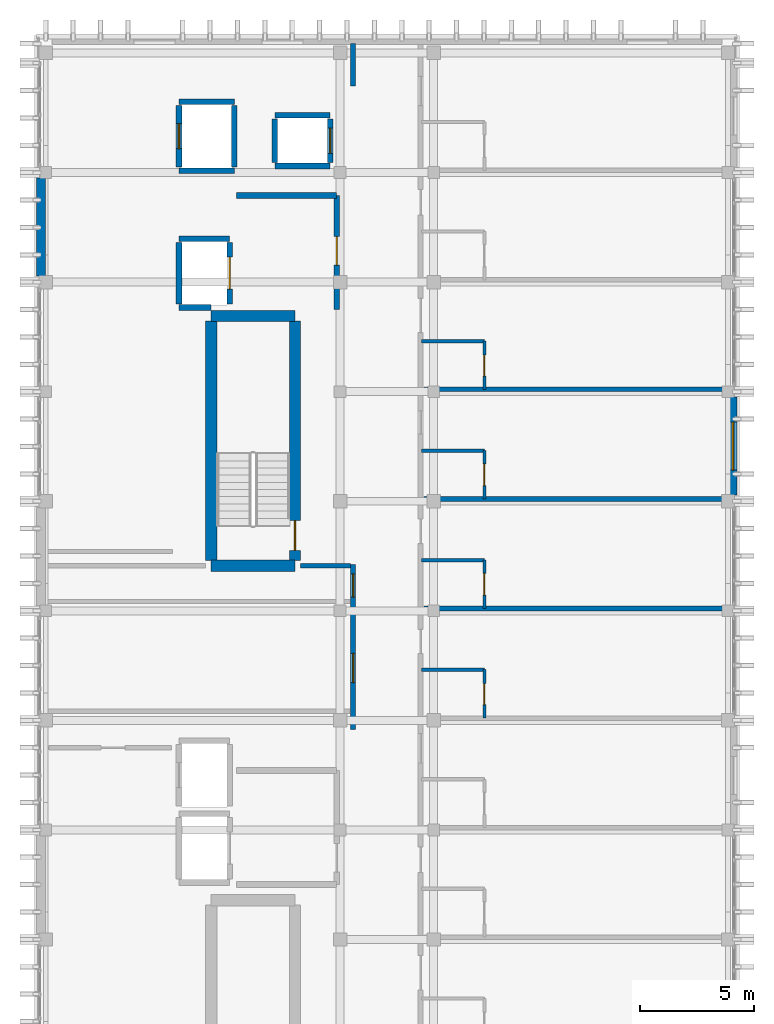
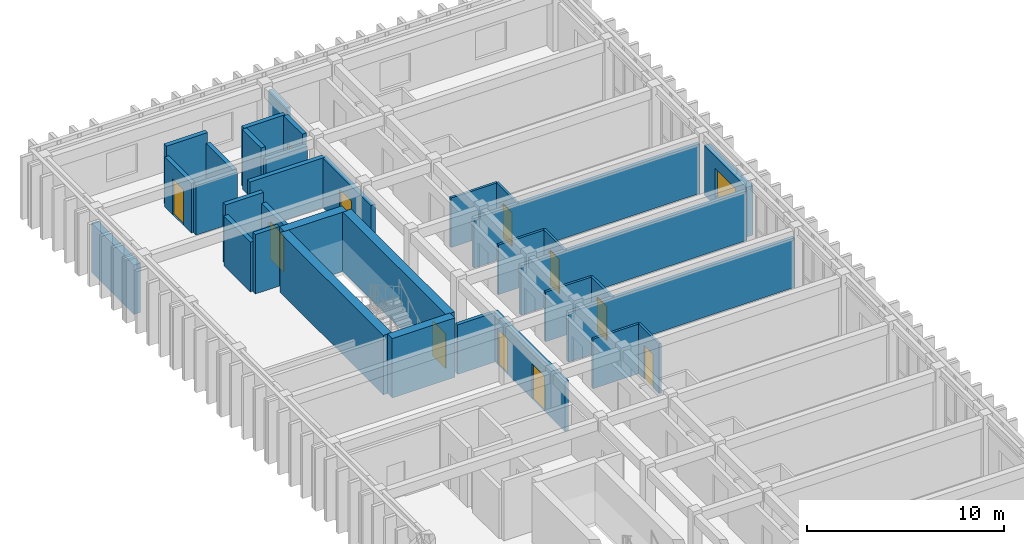
# One storey, part 41 of 49: 34 walls, 11 doors, 1 window, 12 openings.
"""IFC4 building model written with IfcOpenShell, lengths in metres."""

import ifcopenshell
import ifcopenshell.guid

model = None  # the IFC model being written
_history = None  # IfcOwnerHistory: only IFC2X3 demands one
_inside = {}  # id of a spatial element -> (the spatial element, [elements in it])
_under = {}  # id of a project, library or spatial element -> (it, [spatial elements below it])
_declared = {}  # id of a project -> (the project, [libraries it declares])
_typed = {}  # id of a type object -> (the type object, [elements of that type])
_made_of = {}  # id of a material, layer set ... -> (it, [elements and type objects made of it])


def new_model(schema):
    """Start an empty IFC model of exactly this schema.

    Asked for "IFC4X3", IfcOpenShell would pick the latest addendum, in which some entities
    have other attributes; the version numbers below select the first issue.
    IFC2X3 requires an IfcOwnerHistory on every rooted entity: one is made here for all.
    """
    global model, _history
    if schema == "IFC4X3":
        model = ifcopenshell.file(schema_version=(4, 3, 0, 0))
    else:
        model = ifcopenshell.file(schema=schema)
    _inside.clear()
    _under.clear()
    _declared.clear()
    _typed.clear()
    _made_of.clear()
    _history = None
    if model.schema == "IFC2X3":
        org = make("IfcOrganization", Name="unknown")
        user = make(
            "IfcPersonAndOrganization",
            ThePerson=make("IfcPerson", FamilyName="unknown"),
            TheOrganization=org,
        )
        app = make(
            "IfcApplication",
            ApplicationDeveloper=org,
            Version="unknown",
            ApplicationFullName="unknown",
            ApplicationIdentifier="unknown",
        )
        _history = make(
            "IfcOwnerHistory",
            OwningUser=user,
            OwningApplication=app,
            ChangeAction="ADDED",
            CreationDate=0,
        )
    return model


def make(cls, **values):
    """One entity of the class cls with the attributes given. An attribute that is None is left unset."""
    return model.create_entity(
        cls, **{name: value for name, value in values.items() if value is not None}
    )


def rooted(cls, **values):
    """An entity with a GlobalId (a new one), such as an element, a storey or a relation."""
    return make(cls, GlobalId=ifcopenshell.guid.new(), OwnerHistory=_history, **values)


def si_unit(unit_type, name, prefix=None):
    """IfcSIUnit, for example si_unit("LENGTHUNIT", "METRE", prefix="MILLI")."""
    return make("IfcSIUnit", UnitType=unit_type, Prefix=prefix, Name=name)


def assignment(units):
    """IfcUnitAssignment: the units of a project."""
    return None if units is None else make("IfcUnitAssignment", Units=units)


def point(xyz):
    """IfcCartesianPoint."""
    return None if xyz is None else make("IfcCartesianPoint", Coordinates=xyz)


def direction(xyz):
    """IfcDirection."""
    return None if xyz is None else make("IfcDirection", DirectionRatios=xyz)


def frame(location, z_axis=None, x_axis=None):
    """IfcAxis2Placement3D, a coordinate frame: its origin and axes. An axis left out is left unset."""
    return make(
        "IfcAxis2Placement3D",
        Location=point(location),
        Axis=direction(z_axis),
        RefDirection=direction(x_axis),
    )


def frame_2d(location, x_axis=None):
    """IfcAxis2Placement2D, a coordinate frame in the plane: its origin and x axis."""
    return make(
        "IfcAxis2Placement2D", Location=point(location), RefDirection=direction(x_axis)
    )


def origin():
    """The frame at (0, 0, 0) with its axes left unset."""
    return frame((0.0, 0.0, 0.0))


def place(relative_to, where):
    """IfcLocalPlacement: puts the frame where relative to a parent placement (None: the world)."""
    return make(
        "IfcLocalPlacement", PlacementRelTo=relative_to, RelativePlacement=where
    )


def context(
    kind, dimensions, precision=None, world=None, true_north=None, identifier=None
):
    """IfcGeometricRepresentationContext, for example the 3D "Model" context."""
    return make(
        "IfcGeometricRepresentationContext",
        ContextIdentifier=identifier,
        ContextType=kind,
        CoordinateSpaceDimension=dimensions,
        Precision=precision,
        WorldCoordinateSystem=world,
        TrueNorth=true_north,
    )


def subcontext(parent, identifier, kind, view, scale=None):
    """IfcGeometricRepresentationSubContext, for example "Body" below "Model"."""
    return make(
        "IfcGeometricRepresentationSubContext",
        ContextIdentifier=identifier,
        ContextType=kind,
        ParentContext=parent,
        TargetScale=scale,
        TargetView=view,
    )


def project(units=None, contexts=None):
    """IfcProject with its units and contexts."""
    return rooted(
        "IfcProject",
        Name="project",
        RepresentationContexts=contexts,
        UnitsInContext=assignment(units),
    )


def spatial(cls, under=None, at=None, **own):
    """A site, building, storey or space (cls), placed at a placement, below another one or the project."""
    s = rooted(cls, ObjectPlacement=at, **own)
    if under is not None:
        _under.setdefault(under.id(), (under, []))[1].append(s)
    return s


def profile(cls, at=None, kind="AREA", **sizes):
    """A parametric profile (cls). Its sizes go by their IFC names, for example OverallWidth=200.0."""
    return make(cls, ProfileType=kind, Position=at, **sizes)


def rectangle(**sizes):
    """IfcRectangleProfileDef."""
    return profile("IfcRectangleProfileDef", **sizes)


def extrude(swept, where, along, depth):
    """IfcExtrudedAreaSolid: the profile swept, set in the frame where, extruded along a direction by depth."""
    return make(
        "IfcExtrudedAreaSolid",
        SweptArea=swept,
        Position=where,
        ExtrudedDirection=direction(along),
        Depth=depth,
    )


def shape(context_of_items, identifier, shape_type, items):
    """IfcShapeRepresentation: the items that make up one representation, for example the "Body"."""
    return make(
        "IfcShapeRepresentation",
        ContextOfItems=context_of_items,
        RepresentationIdentifier=identifier,
        RepresentationType=shape_type,
        Items=items,
    )


def material(Name=None, Category=None):
    """IfcMaterial."""
    return make("IfcMaterial", Name=Name, Category=Category)


def layer(
    of_material, thickness, ventilated=None, Name=None, Category=None, Priority=None
):
    """IfcMaterialLayer: one layer of a wall or slab, of a material (None: an air gap)."""
    return make(
        "IfcMaterialLayer",
        Material=of_material,
        LayerThickness=thickness,
        IsVentilated=ventilated,
        Name=Name,
        Category=Category,
        Priority=Priority,
    )


def layer_set(layers, Name=None):
    """IfcMaterialLayerSet."""
    return make("IfcMaterialLayerSet", MaterialLayers=layers, LayerSetName=Name)


def made_of(thing, what):
    """Note that an element or type object is made of a material, layer set ...; save() writes the relation."""
    if what is not None:
        _made_of.setdefault(what.id(), (what, []))[1].append(thing)
    return thing


def type_object(cls, material=None, **own):
    """A type object (cls), such as IfcWallType, which elements share."""
    return made_of(rooted(cls, **own), material)


def element(
    cls,
    number,
    at=None,
    inside=None,
    cuts=None,
    type_object=None,
    material=None,
    context=None,
    identifier="Body",
    shape_type=None,
    held_by="IfcProductDefinitionShape",
    body=None,
    shapes=None,
    **own,
):
    """One element of the class cls, such as IfcWall. Its Tag is "e" and its number.

    at: its placement. inside: the storey or other place that contains it. cuts: it is an
    opening in that element (IfcRelVoidsElement). A single representation is given by context,
    identifier, shape_type and body (its items); several are given by shapes. held_by: the class
    of the entity that holds the representations. save() writes the other relations.
    """
    e = rooted(cls, Tag="e%d" % number, ObjectPlacement=at, **own)
    if body is not None:
        shapes = [shape(context, identifier, shape_type, body)]
    if shapes is not None:
        e.Representation = make(held_by, Representations=shapes)
    if inside is not None:
        _inside.setdefault(inside.id(), (inside, []))[1].append(e)
    if cuts is not None:
        rooted(
            "IfcRelVoidsElement", RelatingBuildingElement=cuts, RelatedOpeningElement=e
        )
    if type_object is not None:
        _typed.setdefault(type_object.id(), (type_object, []))[1].append(e)
    return made_of(e, material)


def fill(opening, filler):
    """IfcRelFillsElement: the door or window that sits in an opening."""
    return rooted(
        "IfcRelFillsElement",
        RelatingOpeningElement=opening,
        RelatedBuildingElement=filler,
    )


def aggregate(whole, parts):
    """IfcRelAggregates: a whole, such as a stair, and the parts it consists of."""
    return rooted("IfcRelAggregates", RelatingObject=whole, RelatedObjects=parts)


def save(model, path):
    """Write the relations noted so far, then the file.

    IfcRelAggregates (storeys below a building ...), IfcRelContainedInSpatialStructure (elements
    in a storey), IfcRelDefinesByType, IfcRelAssociatesMaterial and IfcRelDeclares: one each for
    every whole, place, type object, material and project.
    """
    for whole, parts in _under.values():
        aggregate(whole, parts)
    for where, things in _inside.values():
        rooted(
            "IfcRelContainedInSpatialStructure",
            RelatedElements=things,
            RelatingStructure=where,
        )
    for kind, things in _typed.values():
        rooted("IfcRelDefinesByType", RelatedObjects=things, RelatingType=kind)
    for what, things in _made_of.values():
        rooted("IfcRelAssociatesMaterial", RelatedObjects=things, RelatingMaterial=what)
    for by, libraries in _declared.values():
        rooted("IfcRelDeclares", RelatingContext=by, RelatedDefinitions=libraries)
    model.write(path)


model = new_model("IFC4")

# Units and contexts
model_context = context("Model", 3, precision=1e-05, world=origin(), true_north=direction((0.0, 1.0)))
body_context = subcontext(model_context, "Body", "Model", "MODEL_VIEW")
ifc_project = project(units=[si_unit("LENGTHUNIT", "METRE"), si_unit("AREAUNIT", "SQUARE_METRE"), si_unit("VOLUMEUNIT", "CUBIC_METRE"), si_unit("PLANEANGLEUNIT", "RADIAN"), si_unit("MASSUNIT", "GRAM", prefix="KILO")], contexts=[model_context])

# Site, building, storey
site_placement = place(None, origin())
site = spatial("IfcSite", under=ifc_project, at=site_placement, CompositionType="ELEMENT")
building_placement = place(site_placement, origin())
building = spatial("IfcBuilding", under=site, at=building_placement, Name="Nakhvara Creek Congress Hotel", CompositionType="ELEMENT")
storey_placement = place(building_placement, frame((0.0, 0.0, 46.5)))
storey = spatial("IfcBuildingStorey", under=building, at=storey_placement, Name="L11", CompositionType="ELEMENT", Elevation=46.5)

# Walls
ifc_material_1 = material(Name="Concrete C50/60", Category="concrete")
ifc_layer_1 = layer(ifc_material_1, 0.5)
ifc_layer_set_1 = layer_set([ifc_layer_1], Name="Concrete C50/60")
wall_type_1 = type_object("IfcWallType", Name="W-CORE-500", PredefinedType="SHEAR", material=ifc_layer_set_1)
for number, where, z_axis, x_axis, name in (
    (1, (156.699951171875, 102.780029296875, 0.0), (0.0, 0.0, 1.0), (1.0, 0.0, 0.0), "Core Shear Wall WS01-CWALL-L11-0502"),
    (2, (156.699951171875, 113.719970703125, 0.0), (0.0, 0.0, 1.0), (1.0, 0.0, 0.0), "Core Shear Wall WS01-CWALL-L11-0503"),
):
    element("IfcWall", number, at=place(storey_placement, frame(where, z_axis=z_axis, x_axis=x_axis)), inside=storey, type_object=wall_type_1, Name=name, PredefinedType="SHEAR", context=body_context, shape_type="SweptSolid", body=[
        extrude(rectangle(XDim=3.670166015625, YDim=0.5, at=frame_2d((1.8349609375, 0.0))), origin(), (0.0, 0.0, 1.0), 3.679931640625),
    ])
wall_1_placement = place(storey_placement, frame((156.699951171875, 103.0, 0.0), z_axis=(0.0, 0.0, 1.0), x_axis=(0.0, 1.0, 0.0)))
element("IfcWall", 3, at=wall_1_placement, inside=storey, type_object=wall_type_1, Name="Core Shear Wall WS01-CWALL-L11-0504", PredefinedType="SHEAR", context=body_context, shape_type="SweptSolid", body=[
    extrude(rectangle(XDim=10.5, YDim=0.5, at=frame_2d((5.25, 0.0))), origin(), (0.0, 0.0, 1.0), 3.679931640625),
])

# Wall, opening, door
wall_2_placement = place(storey_placement, frame((160.3701171875, 103.0, 0.0), z_axis=(0.0, 0.0, 1.0), x_axis=(0.0, 1.0, 0.0)))
wall_2 = element("IfcWall", 4, at=wall_2_placement, inside=storey, type_object=wall_type_1, Name="Core Shear Wall WS01-CWALL-L11-0505", PredefinedType="SHEAR", context=body_context, shape_type="SweptSolid", body=[
    extrude(rectangle(XDim=10.5, YDim=0.5, at=frame_2d((5.25, 0.0))), origin(), (0.0, 0.0, 1.0), 3.679931640625),
])
opening_1_placement = place(wall_2_placement, frame((0.449951171875, 0.0, 0.0)))
opening_1 = element("IfcOpeningElement", 5, at=opening_1_placement, cuts=wall_2, Name="Opening FD04", PredefinedType="OPENING", context=body_context, shape_type="SweptSolid", body=[
    extrude(rectangle(XDim=1.300048828125, YDim=2.14990234375, at=frame_2d((0.64990234375, 1.074951171875))), frame((0.0, 0.261962890625, 0.0), z_axis=(0.0, -1.0, 0.0), x_axis=(1.0, 0.0, 0.0)), (0.0, 0.0, 1.0), 0.52392578125),
])
ifc_material_2 = material(Name="Powder-coated steel fire door", Category="steel")
door_type_1 = type_object("IfcDoorType", Name="DT-STAIR-130", OperationType="NOTDEFINED", PredefinedType="DOOR", material=ifc_material_2)
door_1_placement = place(opening_1_placement, frame((1.300048828125, 0.0, 0.0), z_axis=(0.0, 0.0, 1.0), x_axis=(-1.0, 0.0, 0.0)))
door_1 = element("IfcDoor", 6, at=door_1_placement, inside=storey, type_object=door_type_1, Name="Stair Exit Door ST02-L11", OperationType="SINGLE_SWING_LEFT", OverallHeight=2.14990234375, OverallWidth=1.300048828125, PredefinedType="DOOR", context=body_context, shape_type="SweptSolid", body=[
    extrude(rectangle(XDim=1.300048828125, YDim=2.14990234375, at=frame_2d((0.64990234375, 1.074951171875))), frame((0.0, 0.02490234375, 0.0), z_axis=(0.0, -1.0, 0.0), x_axis=(1.0, 0.0, 0.0)), (0.0, 0.0, 1.0), 0.050048828125),
])
fill(opening_1, door_1)

# Wall, openings, doors
ifc_material_3 = material(Name="Gypsum acoustic board on steel stud", Category="steel")
ifc_layer_2 = layer(ifc_material_3, 0.219970703125)
ifc_layer_set_2 = layer_set([ifc_layer_2], Name="Gypsum acoustic board on steel stud")
wall_type_2 = type_object("IfcWallType", Name="W-CORR-220", PredefinedType="PARTITIONING", material=ifc_layer_set_2)
wall_3_placement = place(storey_placement, frame((162.919921875, 95.60009765625, 0.0), z_axis=(0.0, 0.0, 1.0), x_axis=(0.0, 1.0, 0.0)))
wall_3 = element("IfcWall", 7, at=wall_3_placement, inside=storey, type_object=wall_type_2, Name="Interior Wall WP11-IW-L11-0751", PredefinedType="PARTITIONING", context=body_context, shape_type="SweptSolid", body=[
    extrude(rectangle(XDim=7.219970703125, YDim=0.219970703125, at=frame_2d((3.60986328125, 0.0))), origin(), (0.0, 0.0, 1.0), 3.072021484375),
])
opening_2_placement = place(wall_3_placement, frame((2.050048828125, 0.0, 0.0)))
opening_2 = element("IfcOpeningElement", 8, at=opening_2_placement, cuts=wall_3, Name="Opening ID07", PredefinedType="OPENING", context=body_context, shape_type="SweptSolid", body=[
    extrude(rectangle(XDim=1.280029296875, YDim=2.159912109375, at=frame_2d((0.64013671875, 1.080078125))), frame((0.0, 0.1220703125, 0.0), z_axis=(0.0, -1.0, 0.0), x_axis=(1.0, 0.0, 0.0)), (0.0, 0.0, 1.0), 0.243896484375),
])
opening_3_placement = place(wall_3_placement, frame((5.800048828125, 0.0, 0.0)))
opening_3 = element("IfcOpeningElement", 9, at=opening_3_placement, cuts=wall_3, Name="Opening GD01", PredefinedType="OPENING", context=body_context, shape_type="SweptSolid", body=[
    extrude(rectangle(XDim=1.02001953125, YDim=2.199951171875, at=frame_2d((0.510009765625, 1.10009765625))), frame((0.0, 0.1220703125, 0.0), z_axis=(0.0, -1.0, 0.0), x_axis=(1.0, 0.0, 0.0)), (0.0, 0.0, 1.0), 0.243896484375),
])
ifc_material_4 = material(Name="Brushed stainless-clad BOH door")
door_type_2 = type_object("IfcDoorType", Name="DT-BOH-128", OperationType="NOTDEFINED", PredefinedType="DOOR", material=ifc_material_4)
door_2_placement = place(opening_2_placement, frame((1.280029296875, 0.0, 0.0), z_axis=(0.0, 0.0, 1.0), x_axis=(-1.0, 0.0, 0.0)))
door_2 = element("IfcDoor", 10, at=door_2_placement, inside=storey, type_object=door_type_2, Name="Interior Door ID07-0541", OperationType="SINGLE_SWING_RIGHT", OverallHeight=2.159912109375, OverallWidth=1.280029296875, PredefinedType="DOOR", context=body_context, shape_type="SweptSolid", body=[
    extrude(rectangle(XDim=1.280029296875, YDim=2.159912109375, at=frame_2d((0.64013671875, 1.080078125))), frame((0.0, 0.02490234375, 0.0), z_axis=(0.0, -1.0, 0.0), x_axis=(1.0, 0.0, 0.0)), (0.0, 0.0, 1.0), 0.050048828125),
])
fill(opening_2, door_2)
ifc_material_5 = material(Name="Walnut hardwood timber fire door", Category="wood")
door_type_3 = type_object("IfcDoorType", Name="DT-GUEST-102", OperationType="NOTDEFINED", PredefinedType="DOOR", material=ifc_material_5)
door_3_placement = place(opening_3_placement, frame((1.02001953125, 0.0, 0.0), z_axis=(0.0, 0.0, 1.0), x_axis=(-1.0, 0.0, 0.0)))
door_3 = element("IfcDoor", 11, at=door_3_placement, inside=storey, type_object=door_type_3, Name="Interior Door GD01-0542", OperationType="SINGLE_SWING_LEFT", OverallHeight=2.199951171875, OverallWidth=1.02001953125, PredefinedType="DOOR", context=body_context, shape_type="SweptSolid", body=[
    extrude(rectangle(XDim=1.02001953125, YDim=2.199951171875, at=frame_2d((0.510009765625, 1.10009765625))), frame((0.0, 0.02490234375, 0.0), z_axis=(0.0, -1.0, 0.0), x_axis=(1.0, 0.0, 0.0)), (0.0, 0.0, 1.0), 0.050048828125),
])
fill(opening_3, door_3)

# Wall
wall_4_placement = place(storey_placement, frame((162.919921875, 123.800048828125, 0.0), z_axis=(0.0, 0.0, 1.0), x_axis=(0.0, 1.0, 0.0)))
element("IfcWall", 12, at=wall_4_placement, inside=storey, type_object=wall_type_2, Name="Interior Wall WP11-IW-L11-0752", PredefinedType="PARTITIONING", context=body_context, shape_type="SweptSolid", body=[
    extrude(rectangle(XDim=1.849853515625, YDim=0.219970703125, at=frame_2d((0.9248046875, 0.0))), origin(), (0.0, 0.0, 1.0), 2.922119140625),
])

# Wall, opening, door
ifc_material_6 = material(Name="Moisture-resistant gypsum board partition")
ifc_layer_3 = layer(ifc_material_6, 0.139892578125)
ifc_layer_set_3 = layer_set([ifc_layer_3], Name="Moisture-resistant gypsum board partition")
wall_type_3 = type_object("IfcWallType", Name="W-ENS-140", PredefinedType="PARTITIONING", material=ifc_layer_set_3)
wall_5_placement = place(storey_placement, frame((168.669921875, 96.10009765625, 0.0), z_axis=(0.0, 0.0, 1.0), x_axis=(0.0, 1.0, 0.0)))
wall_5 = element("IfcWall", 13, at=wall_5_placement, inside=storey, type_object=wall_type_3, Name="Interior Wall WP15-IW-L11-0776", PredefinedType="PARTITIONING", context=body_context, shape_type="SweptSolid", body=[
    extrude(rectangle(XDim=2.115966796875, YDim=0.139892578125, at=frame_2d((1.05810546875, 0.0))), origin(), (0.0, 0.0, 1.0), 3.072021484375),
])
opening_4_placement = place(wall_5_placement, frame((0.5830078125, 0.0, 0.0)))
opening_4 = element("IfcOpeningElement", 14, at=opening_4_placement, cuts=wall_5, Name="Opening ID01", PredefinedType="OPENING", context=body_context, shape_type="SweptSolid", body=[
    extrude(rectangle(XDim=0.919921875, YDim=2.10009765625, at=frame_2d((0.4599609375, 1.050048828125))), frame((0.0, 0.08203125, 0.0), z_axis=(0.0, -1.0, 0.0), x_axis=(1.0, 0.0, 0.0)), (0.0, 0.0, 1.0), 0.163818359375),
])
ifc_material_7 = material(Name="Moisture-resistant walnut timber door", Category="wood")
door_type_4 = type_object("IfcDoorType", Name="DT-ENS-092", OperationType="NOTDEFINED", PredefinedType="DOOR", material=ifc_material_7)
door_4_placement = place(opening_4_placement, frame((0.919921875, 0.0, 0.0), z_axis=(0.0, 0.0, 1.0), x_axis=(-1.0, 0.0, 0.0)))
door_4 = element("IfcDoor", 15, at=door_4_placement, inside=storey, type_object=door_type_4, Name="Interior Door ID01-0555", OperationType="SINGLE_SWING_RIGHT", OverallHeight=2.10009765625, OverallWidth=0.919921875, PredefinedType="DOOR", context=body_context, shape_type="SweptSolid", body=[
    extrude(rectangle(XDim=0.919921875, YDim=2.10009765625, at=frame_2d((0.4599609375, 1.050048828125))), frame((0.0, 0.02490234375, 0.0), z_axis=(0.0, -1.0, 0.0), x_axis=(1.0, 0.0, 0.0)), (0.0, 0.0, 1.0), 0.050048828125),
])
fill(opening_4, door_4)

# Wall
wall_6_placement = place(storey_placement, frame((165.919921875, 98.216064453125, 0.0), z_axis=(0.0, 0.0, 1.0), x_axis=(1.0, 0.0, 0.0)))
element("IfcWall", 16, at=wall_6_placement, inside=storey, type_object=wall_type_3, Name="Interior Wall WP15-IW-L11-0777", PredefinedType="PARTITIONING", context=body_context, shape_type="SweptSolid", body=[
    extrude(rectangle(XDim=2.75, YDim=0.139892578125, at=frame_2d((1.375, 0.0))), origin(), (0.0, 0.0, 1.0), 3.072021484375),
])

# Wall, opening, door
wall_7_placement = place(storey_placement, frame((168.669921875, 100.89990234375, 0.0), z_axis=(0.0, 0.0, 1.0), x_axis=(0.0, 1.0, 0.0)))
wall_7 = element("IfcWall", 17, at=wall_7_placement, inside=storey, type_object=wall_type_3, Name="Interior Wall WP15-IW-L11-0779", PredefinedType="PARTITIONING", context=body_context, shape_type="SweptSolid", body=[
    extrude(rectangle(XDim=2.1162109375, YDim=0.139892578125, at=frame_2d((1.05810546875, 0.0))), origin(), (0.0, 0.0, 1.0), 3.072021484375),
])
opening_5_placement = place(wall_7_placement, frame((0.5830078125, 0.0, 0.0)))
opening_5 = element("IfcOpeningElement", 18, at=opening_5_placement, cuts=wall_7, Name="Opening ID02", PredefinedType="OPENING", context=body_context, shape_type="SweptSolid", body=[
    extrude(rectangle(XDim=0.9599609375, YDim=2.1201171875, at=frame_2d((0.47998046875, 1.06005859375))), frame((0.0, 0.08203125, 0.0), z_axis=(0.0, -1.0, 0.0), x_axis=(1.0, 0.0, 0.0)), (0.0, 0.0, 1.0), 0.163818359375),
])
door_type_5 = type_object("IfcDoorType", Name="DT-ENS-096", OperationType="NOTDEFINED", PredefinedType="DOOR", material=ifc_material_7)
door_5_placement = place(opening_5_placement, frame((0.9599609375, 0.0, 0.0), z_axis=(0.0, 0.0, 1.0), x_axis=(-1.0, 0.0, 0.0)))
door_5 = element("IfcDoor", 19, at=door_5_placement, inside=storey, type_object=door_type_5, Name="Interior Door ID02-0557", OperationType="SINGLE_SWING_RIGHT", OverallHeight=2.1201171875, OverallWidth=0.9599609375, PredefinedType="DOOR", context=body_context, shape_type="SweptSolid", body=[
    extrude(rectangle(XDim=0.9599609375, YDim=2.1201171875, at=frame_2d((0.47998046875, 1.06005859375))), frame((0.0, 0.02490234375, 0.0), z_axis=(0.0, -1.0, 0.0), x_axis=(1.0, 0.0, 0.0)), (0.0, 0.0, 1.0), 0.050048828125),
])
fill(opening_5, door_5)

# Wall
wall_8_placement = place(storey_placement, frame((165.919921875, 103.01611328125, 0.0), z_axis=(0.0, 0.0, 1.0), x_axis=(1.0, 0.0, 0.0)))
element("IfcWall", 20, at=wall_8_placement, inside=storey, type_object=wall_type_3, Name="Interior Wall WP15-IW-L11-0780", PredefinedType="PARTITIONING", context=body_context, shape_type="SweptSolid", body=[
    extrude(rectangle(XDim=2.75, YDim=0.139892578125, at=frame_2d((1.375, 0.0))), origin(), (0.0, 0.0, 1.0), 3.072021484375),
])

# Wall, opening, door
wall_9_placement = place(storey_placement, frame((168.669921875, 105.699951171875, 0.0), z_axis=(0.0, 0.0, 1.0), x_axis=(0.0, 1.0, 0.0)))
wall_9 = element("IfcWall", 21, at=wall_9_placement, inside=storey, type_object=wall_type_3, Name="Interior Wall WP15-IW-L11-0782", PredefinedType="PARTITIONING", context=body_context, shape_type="SweptSolid", body=[
    extrude(rectangle(XDim=2.115966796875, YDim=0.139892578125, at=frame_2d((1.05810546875, 0.0))), origin(), (0.0, 0.0, 1.0), 3.072021484375),
])
opening_6_placement = place(wall_9_placement, frame((0.5830078125, 0.0, 0.0)))
opening_6 = element("IfcOpeningElement", 22, at=opening_6_placement, cuts=wall_9, Name="Opening ID02", PredefinedType="OPENING", context=body_context, shape_type="SweptSolid", body=[
    extrude(rectangle(XDim=0.9599609375, YDim=2.1201171875, at=frame_2d((0.47998046875, 1.06005859375))), frame((0.0, 0.08203125, 0.0), z_axis=(0.0, -1.0, 0.0), x_axis=(1.0, 0.0, 0.0)), (0.0, 0.0, 1.0), 0.163818359375),
])
door_6_placement = place(opening_6_placement, frame((0.9599609375, 0.0, 0.0), z_axis=(0.0, 0.0, 1.0), x_axis=(-1.0, 0.0, 0.0)))
door_6 = element("IfcDoor", 23, at=door_6_placement, inside=storey, type_object=door_type_5, Name="Interior Door ID02-0559", OperationType="SINGLE_SWING_RIGHT", OverallHeight=2.1201171875, OverallWidth=0.9599609375, PredefinedType="DOOR", context=body_context, shape_type="SweptSolid", body=[
    extrude(rectangle(XDim=0.9599609375, YDim=2.1201171875, at=frame_2d((0.47998046875, 1.06005859375))), frame((0.0, 0.02490234375, 0.0), z_axis=(0.0, -1.0, 0.0), x_axis=(1.0, 0.0, 0.0)), (0.0, 0.0, 1.0), 0.050048828125),
])
fill(opening_6, door_6)

# Wall
wall_10_placement = place(storey_placement, frame((165.919921875, 107.81591796875, 0.0), z_axis=(0.0, 0.0, 1.0), x_axis=(1.0, 0.0, 0.0)))
element("IfcWall", 24, at=wall_10_placement, inside=storey, type_object=wall_type_3, Name="Interior Wall WP15-IW-L11-0783", PredefinedType="PARTITIONING", context=body_context, shape_type="SweptSolid", body=[
    extrude(rectangle(XDim=2.75, YDim=0.139892578125, at=frame_2d((1.375, 0.0))), origin(), (0.0, 0.0, 1.0), 3.072021484375),
])

# Wall, opening, door
wall_11_placement = place(storey_placement, frame((168.669921875, 110.5, 0.0), z_axis=(0.0, 0.0, 1.0), x_axis=(0.0, 1.0, 0.0)))
wall_11 = element("IfcWall", 25, at=wall_11_placement, inside=storey, type_object=wall_type_3, Name="Interior Wall WP15-IW-L11-0785", PredefinedType="PARTITIONING", context=body_context, shape_type="SweptSolid", body=[
    extrude(rectangle(XDim=2.115966796875, YDim=0.139892578125, at=frame_2d((1.05810546875, 0.0))), origin(), (0.0, 0.0, 1.0), 3.072021484375),
])
opening_7_placement = place(wall_11_placement, frame((0.5830078125, 0.0, 0.0)))
opening_7 = element("IfcOpeningElement", 26, at=opening_7_placement, cuts=wall_11, Name="Opening ID01", PredefinedType="OPENING", context=body_context, shape_type="SweptSolid", body=[
    extrude(rectangle(XDim=0.919921875, YDim=2.10009765625, at=frame_2d((0.4599609375, 1.050048828125))), frame((0.0, 0.08203125, 0.0), z_axis=(0.0, -1.0, 0.0), x_axis=(1.0, 0.0, 0.0)), (0.0, 0.0, 1.0), 0.163818359375),
])
door_7_placement = place(opening_7_placement, frame((0.919921875, 0.0, 0.0), z_axis=(0.0, 0.0, 1.0), x_axis=(-1.0, 0.0, 0.0)))
door_7 = element("IfcDoor", 27, at=door_7_placement, inside=storey, type_object=door_type_4, Name="Interior Door ID01-0561", OperationType="SINGLE_SWING_RIGHT", OverallHeight=2.10009765625, OverallWidth=0.919921875, PredefinedType="DOOR", context=body_context, shape_type="SweptSolid", body=[
    extrude(rectangle(XDim=0.919921875, YDim=2.10009765625, at=frame_2d((0.4599609375, 1.050048828125))), frame((0.0, 0.02490234375, 0.0), z_axis=(0.0, -1.0, 0.0), x_axis=(1.0, 0.0, 0.0)), (0.0, 0.0, 1.0), 0.050048828125),
])
fill(opening_7, door_7)

# Wall
wall_12_placement = place(storey_placement, frame((165.919921875, 112.615966796875, 0.0), z_axis=(0.0, 0.0, 1.0), x_axis=(1.0, 0.0, 0.0)))
element("IfcWall", 28, at=wall_12_placement, inside=storey, type_object=wall_type_3, Name="Interior Wall WP15-IW-L11-0786", PredefinedType="PARTITIONING", context=body_context, shape_type="SweptSolid", body=[
    extrude(rectangle(XDim=2.75, YDim=0.139892578125, at=frame_2d((1.375, 0.0))), origin(), (0.0, 0.0, 1.0), 3.072021484375),
])

# Wall, opening, window
ifc_material_8 = material(Name="Honed pale Omani limestone cladding", Category="masonry")
ifc_layer_4 = layer(ifc_material_8, 0.050048828125)
ifc_material_9 = material(Name="Mineral wool thermal insulation")
ifc_layer_5 = layer(ifc_material_9, 0.110107421875)
ifc_material_10 = material(Name="Precast concrete C40/50", Category="concrete")
ifc_layer_6 = layer(ifc_material_10, 0.219970703125)
ifc_layer_set_4 = layer_set([ifc_layer_4, ifc_layer_5, ifc_layer_6], Name="Precast concrete C40/50")
wall_type_4 = type_object("IfcWallType", Name="W-EXT-380", PredefinedType="SOLIDWALL", material=ifc_layer_set_4)
wall_13_placement = place(storey_placement, frame((179.56005859375, 110.1650390625, 0.0), z_axis=(0.0, 0.0, 1.0), x_axis=(0.0, -1.0, 0.0)))
wall_13 = element("IfcWall", 29, at=wall_13_placement, inside=storey, type_object=wall_type_4, Name="Exterior Wall WE03-EW-L11-0228", PredefinedType="SOLIDWALL", context=body_context, shape_type="SweptSolid", body=[
    extrude(rectangle(XDim=4.300048828125, YDim=0.3798828125, at=frame_2d((2.14990234375, 0.0))), origin(), (0.0, 0.0, 1.0), 3.072021484375),
])
opening_8_placement = place(wall_13_placement, frame((1.10009765625, 0.0, 0.550048828125)))
opening_8 = element("IfcOpeningElement", 30, at=opening_8_placement, cuts=wall_13, Name="Opening WN0251", PredefinedType="OPENING", context=body_context, shape_type="SweptSolid", body=[
    extrude(rectangle(XDim=2.10009765625, YDim=1.780029296875, at=frame_2d((1.050048828125, 0.89013671875))), frame((0.0, 0.201904296875, 0.0), z_axis=(0.0, -1.0, 0.0), x_axis=(1.0, 0.0, 0.0)), (0.0, 0.0, 1.0), 0.40380859375),
])
ifc_material_11 = material(Name="Thermally broken bronze-anodised aluminium and double-silver low-E insulated glass", Category="aluminium")
window_type = type_object("IfcWindowType", Name="WN-LAN-210X230", PartitioningType="SINGLE_PANEL", PredefinedType="WINDOW", material=ifc_material_11)
window_placement = place(opening_8_placement, origin())
window = element("IfcWindow", 31, at=window_placement, inside=storey, type_object=window_type, Name="Facade Window WN0251", OverallHeight=1.780029296875, OverallWidth=2.10009765625, PartitioningType="SINGLE_PANEL", PredefinedType="WINDOW", context=body_context, shape_type="SweptSolid", body=[
    extrude(rectangle(XDim=2.10009765625, YDim=1.780029296875, at=frame_2d((1.050048828125, 0.89013671875))), frame((0.0, 0.030029296875, 0.0), z_axis=(0.0, -1.0, 0.0), x_axis=(1.0, 0.0, 0.0)), (0.0, 0.0, 1.0), 0.06005859375),
])
fill(opening_8, window)

# Wall
wall_14_placement = place(storey_placement, frame((149.239990234375, 115.465087890625, 0.0), z_axis=(0.0, 0.0, 1.0), x_axis=(0.0, 1.0, 0.0)))
element("IfcWall", 32, at=wall_14_placement, inside=storey, type_object=wall_type_4, Name="Exterior Wall WE03-EW-L11-0229", PredefinedType="SOLIDWALL", context=body_context, shape_type="SweptSolid", body=[
    extrude(rectangle(XDim=4.2998046875, YDim=0.3798828125, at=frame_2d((2.14990234375, 0.0))), origin(), (0.0, 0.0, 1.0), 3.072021484375),
])

# Wall, opening, door
ifc_material_12 = material(Name="Concrete C40/50", Category="concrete")
ifc_layer_7 = layer(ifc_material_12, 0.260009765625)
ifc_layer_set_5 = layer_set([ifc_layer_7], Name="Concrete C40/50")
wall_type_5 = type_object("IfcWallType", Name="W-FFL-260", PredefinedType="SOLIDWALL", material=ifc_layer_set_5)
wall_15_placement = place(storey_placement, frame((162.199951171875, 114.0, 0.0), z_axis=(0.0, 0.0, 1.0), x_axis=(0.0, 1.0, 0.0)))
wall_15 = element("IfcWall", 33, at=wall_15_placement, inside=storey, type_object=wall_type_5, Name="Core Shear Wall WI03-CWALL-L11-0518", PredefinedType="SOLIDWALL", context=body_context, shape_type="SweptSolid", body=[
    extrude(rectangle(XDim=5.0, YDim=0.260009765625, at=frame_2d((2.5, 0.0))), origin(), (0.0, 0.0, 1.0), 3.072021484375),
])
opening_9_placement = place(wall_15_placement, frame((1.949951171875, 0.0, 0.0)))
opening_9 = element("IfcOpeningElement", 34, at=opening_9_placement, cuts=wall_15, Name="Opening FD05", PredefinedType="OPENING", context=body_context, shape_type="SweptSolid", body=[
    extrude(rectangle(XDim=1.25, YDim=2.14990234375, at=frame_2d((0.625, 1.074951171875))), frame((0.0, 0.14208984375, 0.0), z_axis=(0.0, -1.0, 0.0), x_axis=(1.0, 0.0, 0.0)), (0.0, 0.0, 1.0), 0.283935546875),
])
ifc_material_13 = material(Name="Hardwood-veneered steel fire door", Category="steel")
door_type_6 = type_object("IfcDoorType", Name="DT-FFL-125", OperationType="NOTDEFINED", PredefinedType="DOOR", material=ifc_material_13)
door_8_placement = place(opening_9_placement, origin())
door_8 = element("IfcDoor", 35, at=door_8_placement, inside=storey, type_object=door_type_6, Name="Firefighting Lobby Door C2-L11", OperationType="DOUBLE_DOOR_SINGLE_SWING", OverallHeight=2.14990234375, OverallWidth=1.25, PredefinedType="DOOR", context=body_context, shape_type="SweptSolid", body=[
    extrude(rectangle(XDim=1.25, YDim=2.14990234375, at=frame_2d((0.625, 1.074951171875))), frame((0.0, 0.02490234375, 0.0), z_axis=(0.0, -1.0, 0.0), x_axis=(1.0, 0.0, 0.0)), (0.0, 0.0, 1.0), 0.050048828125),
])
fill(opening_9, door_8)

# Walls
wall_16_placement = place(storey_placement, frame((157.800048828125, 119.0, 0.0), z_axis=(0.0, 0.0, 1.0), x_axis=(1.0, 0.0, 0.0)))
element("IfcWall", 36, at=wall_16_placement, inside=storey, type_object=wall_type_5, Name="Core Shear Wall WI03-CWALL-L11-0519", PredefinedType="SOLIDWALL", context=body_context, shape_type="SweptSolid", body=[
    extrude(rectangle(XDim=4.39990234375, YDim=0.260009765625, at=frame_2d((2.199951171875, 0.0))), origin(), (0.0, 0.0, 1.0), 3.072021484375),
])
ifc_layer_8 = layer(ifc_material_3, 0.199951171875)
ifc_layer_set_6 = layer_set([ifc_layer_8], Name="Gypsum acoustic board on steel stud")
wall_type_6 = type_object("IfcWallType", Name="W-PART-200", PredefinedType="PARTITIONING", material=ifc_layer_set_6)
wall_17_placement = place(storey_placement, frame((160.6201171875, 102.780029296875, 0.0), z_axis=(0.0, 0.0, 1.0), x_axis=(1.0, 0.0, 0.0)))
element("IfcWall", 37, at=wall_17_placement, inside=storey, type_object=wall_type_6, Name="Interior Wall WP12-IW-L11-0757", PredefinedType="PARTITIONING", context=body_context, shape_type="SweptSolid", body=[
    extrude(rectangle(XDim=2.18994140625, YDim=0.199951171875, at=frame_2d((1.094970703125, 0.0))), origin(), (0.0, 0.0, 1.0), 3.072021484375),
])
for number, where, z_axis, x_axis, name in (
    (38, (166.02001953125, 100.89990234375, 0.0), (0.0, 0.0, 1.0), (1.0, 0.0, 0.0), "Interior Wall WP12-IW-L11-0778"),
    (39, (166.02001953125, 105.699951171875, 0.0), (0.0, 0.0, 1.0), (1.0, 0.0, 0.0), "Interior Wall WP12-IW-L11-0781"),
    (40, (166.02001953125, 110.5, 0.0), (0.0, 0.0, 1.0), (1.0, 0.0, 0.0), "Interior Wall WP12-IW-L11-0784"),
):
    element("IfcWall", number, at=place(storey_placement, frame(where, z_axis=z_axis, x_axis=x_axis)), inside=storey, type_object=wall_type_6, Name=name, PredefinedType="PARTITIONING", context=body_context, shape_type="SweptSolid", body=[
        extrude(rectangle(XDim=13.22998046875, YDim=0.199951171875, at=frame_2d((6.614990234375, 0.0))), origin(), (0.0, 0.0, 1.0), 3.072021484375),
    ])
ifc_layer_9 = layer(ifc_material_12, 0.25)
ifc_layer_set_7 = layer_set([ifc_layer_9], Name="Concrete C40/50")
wall_type_7 = type_object("IfcWallType", Name="W-SHAFT-250", PredefinedType="SOLIDWALL", material=ifc_layer_set_7)
wall_18_placement = place(storey_placement, frame((155.2900390625, 114.090087890625, 0.0), z_axis=(0.0, 0.0, 1.0), x_axis=(1.0, 0.0, 0.0)))
element("IfcWall", 41, at=wall_18_placement, inside=storey, type_object=wall_type_7, Name="Core Shear Wall WI02-CWALL-L11-0506", PredefinedType="SOLIDWALL", context=body_context, shape_type="SweptSolid", body=[
    extrude(rectangle(XDim=1.39990234375, YDim=0.25, at=frame_2d((0.699951171875, 0.0))), origin(), (0.0, 0.0, 1.0), 3.679931640625),
])
wall_19_placement = place(storey_placement, frame((155.2900390625, 117.110107421875, 0.0), z_axis=(0.0, 0.0, 1.0), x_axis=(1.0, 0.0, 0.0)))
element("IfcWall", 42, at=wall_19_placement, inside=storey, type_object=wall_type_7, Name="Core Shear Wall WI02-CWALL-L11-0507", PredefinedType="SOLIDWALL", context=body_context, shape_type="SweptSolid", body=[
    extrude(rectangle(XDim=2.219970703125, YDim=0.25, at=frame_2d((1.10986328125, 0.0))), origin(), (0.0, 0.0, 1.0), 3.679931640625),
])
wall_20_placement = place(storey_placement, frame((155.2900390625, 114.25, 0.0), z_axis=(0.0, 0.0, 1.0), x_axis=(0.0, 1.0, 0.0)))
element("IfcWall", 43, at=wall_20_placement, inside=storey, type_object=wall_type_7, Name="Core Shear Wall WI02-CWALL-L11-0508", PredefinedType="SOLIDWALL", context=body_context, shape_type="SweptSolid", body=[
    extrude(rectangle(XDim=2.699951171875, YDim=0.25, at=frame_2d((1.35009765625, 0.0))), origin(), (0.0, 0.0, 1.0), 3.072021484375),
])

# Wall, opening, door
wall_21_placement = place(storey_placement, frame((157.510009765625, 114.25, 0.0), z_axis=(0.0, 0.0, 1.0), x_axis=(0.0, 1.0, 0.0)))
wall_21 = element("IfcWall", 44, at=wall_21_placement, inside=storey, type_object=wall_type_7, Name="Core Shear Wall WI02-CWALL-L11-0509", PredefinedType="SOLIDWALL", context=body_context, shape_type="SweptSolid", body=[
    extrude(rectangle(XDim=2.699951171875, YDim=0.25, at=frame_2d((1.35009765625, 0.0))), origin(), (0.0, 0.0, 1.0), 3.072021484375),
])
opening_10_placement = place(wall_21_placement, frame((0.64990234375, 0.0, 0.0)))
opening_10 = element("IfcOpeningElement", 45, at=opening_10_placement, cuts=wall_21, Name="Opening LD02", PredefinedType="OPENING", context=body_context, shape_type="SweptSolid", body=[
    extrude(rectangle(XDim=1.39990234375, YDim=2.300048828125, at=frame_2d((0.699951171875, 1.14990234375))), frame((0.0, 0.136962890625, 0.0), z_axis=(0.0, -1.0, 0.0), x_axis=(1.0, 0.0, 0.0)), (0.0, 0.0, 1.0), 0.27392578125),
])
ifc_material_14 = material(Name="Brushed stainless steel heavy goods landing door", Category="steel")
door_type_7 = type_object("IfcDoorType", Name="DT-LIFT-140", OperationType="DOUBLE_DOOR_SLIDING", PredefinedType="DOOR", material=ifc_material_14)
door_9_placement = place(opening_10_placement, origin())
door_9 = element("IfcDoor", 46, at=door_9_placement, inside=storey, type_object=door_type_7, Name="Landing Door FFL2-L11", OperationType="SLIDING_TO_LEFT", OverallHeight=2.300048828125, OverallWidth=1.39990234375, PredefinedType="DOOR", context=body_context, shape_type="SweptSolid", body=[
    extrude(rectangle(XDim=1.39990234375, YDim=2.300048828125, at=frame_2d((0.699951171875, 1.14990234375))), frame((0.0, 0.02490234375, 0.0), z_axis=(0.0, -1.0, 0.0), x_axis=(1.0, 0.0, 0.0)), (0.0, 0.0, 1.0), 0.050048828125),
])
fill(opening_10, door_9)

# Walls
wall_22_placement = place(storey_placement, frame((159.489990234375, 120.2900390625, 0.0), z_axis=(0.0, 0.0, 1.0), x_axis=(1.0, 0.0, 0.0)))
element("IfcWall", 47, at=wall_22_placement, inside=storey, type_object=wall_type_7, Name="Core Shear Wall WI02-CWALL-L11-0510", PredefinedType="SOLIDWALL", context=body_context, shape_type="SweptSolid", body=[
    extrude(rectangle(XDim=2.419921875, YDim=0.25, at=frame_2d((1.2099609375, 0.0))), origin(), (0.0, 0.0, 1.0), 3.072021484375),
])
wall_23_placement = place(storey_placement, frame((159.489990234375, 122.510009765625, 0.0), z_axis=(0.0, 0.0, 1.0), x_axis=(1.0, 0.0, 0.0)))
element("IfcWall", 48, at=wall_23_placement, inside=storey, type_object=wall_type_7, Name="Core Shear Wall WI02-CWALL-L11-0511", PredefinedType="SOLIDWALL", context=body_context, shape_type="SweptSolid", body=[
    extrude(rectangle(XDim=2.419921875, YDim=0.25, at=frame_2d((1.2099609375, 0.0))), origin(), (0.0, 0.0, 1.0), 3.679931640625),
])
wall_24_placement = place(storey_placement, frame((159.489990234375, 120.449951171875, 0.0), z_axis=(0.0, 0.0, 1.0), x_axis=(0.0, 1.0, 0.0)))
element("IfcWall", 49, at=wall_24_placement, inside=storey, type_object=wall_type_7, Name="Core Shear Wall WI02-CWALL-L11-0512", PredefinedType="SOLIDWALL", context=body_context, shape_type="SweptSolid", body=[
    extrude(rectangle(XDim=1.900146484375, YDim=0.25, at=frame_2d((0.9501953125, 0.0))), origin(), (0.0, 0.0, 1.0), 3.679931640625),
])

# Wall, opening, door
wall_25_placement = place(storey_placement, frame((161.909912109375, 120.449951171875, 0.0), z_axis=(0.0, 0.0, 1.0), x_axis=(0.0, 1.0, 0.0)))
wall_25 = element("IfcWall", 50, at=wall_25_placement, inside=storey, type_object=wall_type_7, Name="Core Shear Wall WI02-CWALL-L11-0513", PredefinedType="SOLIDWALL", context=body_context, shape_type="SweptSolid", body=[
    extrude(rectangle(XDim=1.900146484375, YDim=0.25, at=frame_2d((0.9501953125, 0.0))), origin(), (0.0, 0.0, 1.0), 3.679931640625),
])
opening_11_placement = place(wall_25_placement, frame((0.39990234375, 0.0, 0.0)))
opening_11 = element("IfcOpeningElement", 51, at=opening_11_placement, cuts=wall_25, Name="Opening LD01", PredefinedType="OPENING", context=body_context, shape_type="SweptSolid", body=[
    extrude(rectangle(XDim=1.10009765625, YDim=2.199951171875, at=frame_2d((0.550048828125, 1.10009765625))), frame((0.0, 0.136962890625, 0.0), z_axis=(0.0, -1.0, 0.0), x_axis=(1.0, 0.0, 0.0)), (0.0, 0.0, 1.0), 0.27392578125),
])
ifc_material_15 = material(Name="Brushed stainless steel sliding landing door", Category="steel")
door_type_8 = type_object("IfcDoorType", Name="DT-LIFT-110", OperationType="DOUBLE_DOOR_SLIDING", PredefinedType="DOOR", material=ifc_material_15)
door_10_placement = place(opening_11_placement, origin())
door_10 = element("IfcDoor", 52, at=door_10_placement, inside=storey, type_object=door_type_8, Name="Landing Door PL01-L11", OperationType="SLIDING_TO_LEFT", OverallHeight=2.199951171875, OverallWidth=1.10009765625, PredefinedType="DOOR", context=body_context, shape_type="SweptSolid", body=[
    extrude(rectangle(XDim=1.10009765625, YDim=2.199951171875, at=frame_2d((0.550048828125, 1.10009765625))), frame((0.0, 0.02490234375, 0.0), z_axis=(0.0, -1.0, 0.0), x_axis=(1.0, 0.0, 0.0)), (0.0, 0.0, 1.0), 0.050048828125),
])
fill(opening_11, door_10)

# Walls
wall_26_placement = place(storey_placement, frame((155.2900390625, 120.090087890625, 0.0), z_axis=(0.0, 0.0, 1.0), x_axis=(1.0, 0.0, 0.0)))
element("IfcWall", 53, at=wall_26_placement, inside=storey, type_object=wall_type_7, Name="Core Shear Wall WI02-CWALL-L11-0514", PredefinedType="SOLIDWALL", context=body_context, shape_type="SweptSolid", body=[
    extrude(rectangle(XDim=2.419921875, YDim=0.25, at=frame_2d((1.2099609375, 0.0))), origin(), (0.0, 0.0, 1.0), 3.072021484375),
])
wall_27_placement = place(storey_placement, frame((155.2900390625, 123.110107421875, 0.0), z_axis=(0.0, 0.0, 1.0), x_axis=(1.0, 0.0, 0.0)))
element("IfcWall", 54, at=wall_27_placement, inside=storey, type_object=wall_type_7, Name="Core Shear Wall WI02-CWALL-L11-0515", PredefinedType="SOLIDWALL", context=body_context, shape_type="SweptSolid", body=[
    extrude(rectangle(XDim=2.419921875, YDim=0.25, at=frame_2d((1.2099609375, 0.0))), origin(), (0.0, 0.0, 1.0), 3.679931640625),
])

# Wall, opening, door
wall_28_placement = place(storey_placement, frame((155.2900390625, 120.25, 0.0), z_axis=(0.0, 0.0, 1.0), x_axis=(0.0, 1.0, 0.0)))
wall_28 = element("IfcWall", 55, at=wall_28_placement, inside=storey, type_object=wall_type_7, Name="Core Shear Wall WI02-CWALL-L11-0516", PredefinedType="SOLIDWALL", context=body_context, shape_type="SweptSolid", body=[
    extrude(rectangle(XDim=2.699951171875, YDim=0.25, at=frame_2d((1.35009765625, 0.0))), origin(), (0.0, 0.0, 1.0), 3.072021484375),
])
opening_12_placement = place(wall_28_placement, frame((0.800048828125, 0.0, 0.0)))
opening_12 = element("IfcOpeningElement", 56, at=opening_12_placement, cuts=wall_28, Name="Opening LD01", PredefinedType="OPENING", context=body_context, shape_type="SweptSolid", body=[
    extrude(rectangle(XDim=1.10009765625, YDim=2.199951171875, at=frame_2d((0.550048828125, 1.10009765625))), frame((0.0, 0.136962890625, 0.0), z_axis=(0.0, -1.0, 0.0), x_axis=(1.0, 0.0, 0.0)), (0.0, 0.0, 1.0), 0.27392578125),
])
door_11_placement = place(opening_12_placement, origin())
door_11 = element("IfcDoor", 57, at=door_11_placement, inside=storey, type_object=door_type_8, Name="Landing Door SL02-L11", OperationType="SLIDING_TO_LEFT", OverallHeight=2.199951171875, OverallWidth=1.10009765625, PredefinedType="DOOR", context=body_context, shape_type="SweptSolid", body=[
    extrude(rectangle(XDim=1.10009765625, YDim=2.199951171875, at=frame_2d((0.550048828125, 1.10009765625))), frame((0.0, 0.02490234375, 0.0), z_axis=(0.0, -1.0, 0.0), x_axis=(1.0, 0.0, 0.0)), (0.0, 0.0, 1.0), 0.050048828125),
])
fill(opening_12, door_11)

# Wall
wall_29_placement = place(storey_placement, frame((157.7099609375, 120.25, 0.0), z_axis=(0.0, 0.0, 1.0), x_axis=(0.0, 1.0, 0.0)))
element("IfcWall", 58, at=wall_29_placement, inside=storey, type_object=wall_type_7, Name="Core Shear Wall WI02-CWALL-L11-0517", PredefinedType="SOLIDWALL", context=body_context, shape_type="SweptSolid", body=[
    extrude(rectangle(XDim=2.699951171875, YDim=0.25, at=frame_2d((1.35009765625, 0.0))), origin(), (0.0, 0.0, 1.0), 3.072021484375),
])

save(model, "model.ifc")
